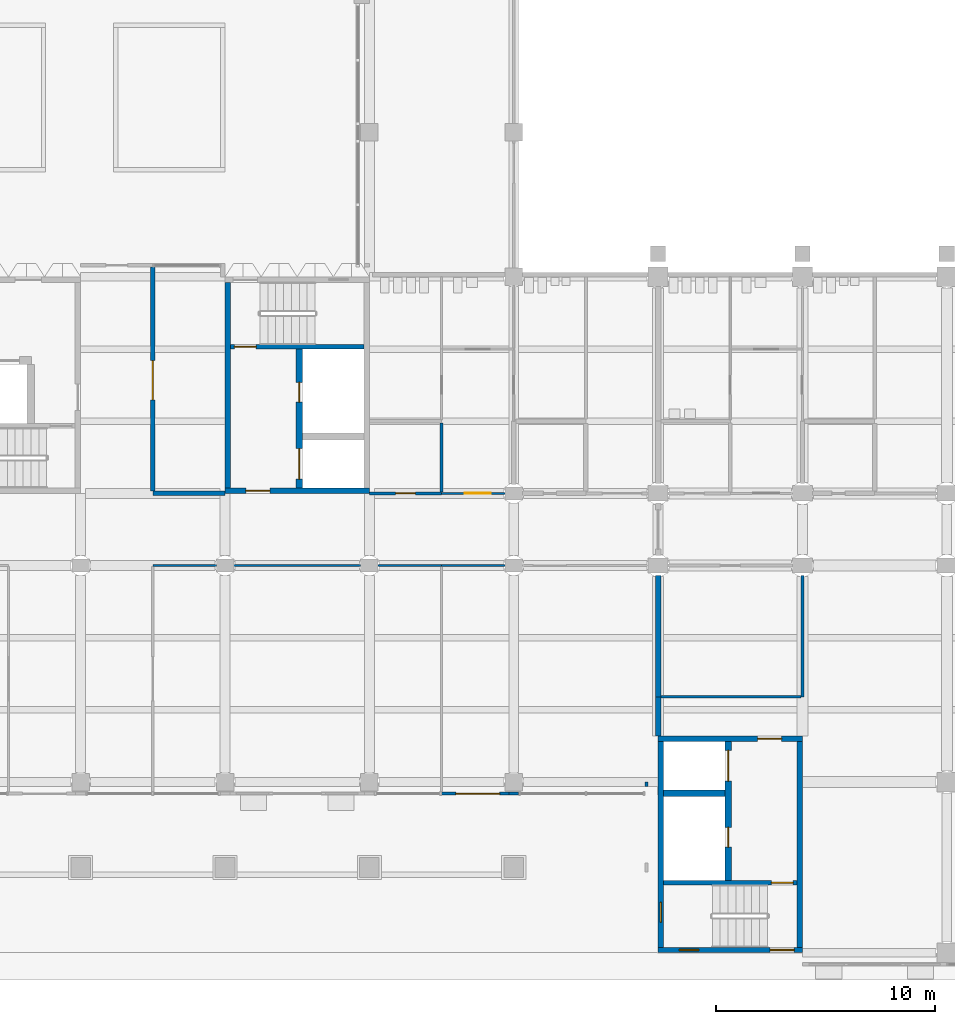
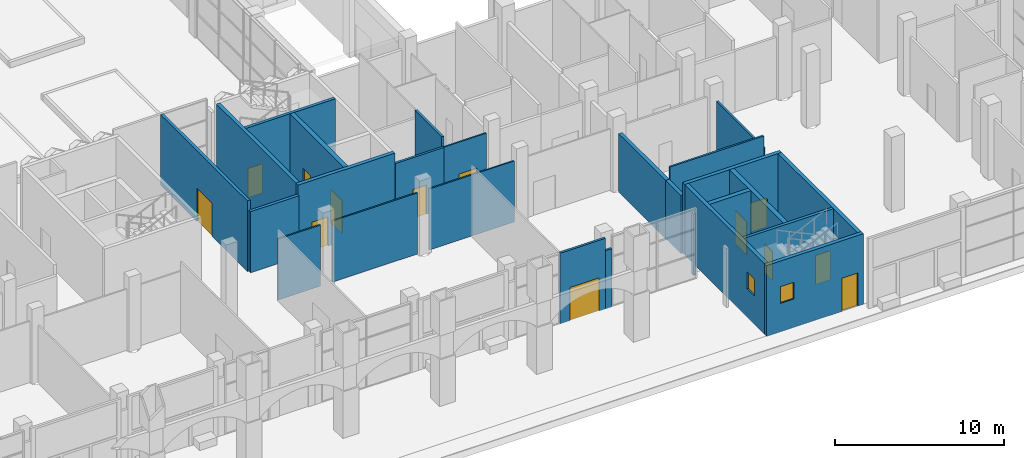
# One storey, part 28 of 85: 27 walls, 13 doors, 2 windows, 15 openings.
"""IFC4 building model written with IfcOpenShell, lengths in metres."""

from ifc_helpers import new_model, si_unit, direction, frame, frame_2d, origin, place, context, subcontext, project, spatial, rectangle, extrude, material, layer, layer_set, type_object, element, fill, save


model = new_model("IFC4")

# Units and contexts
model_context = context("Model", 3, precision=1e-05, world=origin(), true_north=direction((0.0, 1.0)))
body_context = subcontext(model_context, "Body", "Model", "MODEL_VIEW")
ifc_project = project(units=[si_unit("LENGTHUNIT", "METRE"), si_unit("AREAUNIT", "SQUARE_METRE"), si_unit("VOLUMEUNIT", "CUBIC_METRE"), si_unit("PLANEANGLEUNIT", "RADIAN"), si_unit("MASSUNIT", "GRAM", prefix="KILO")], contexts=[model_context])

# Site, building, storey
site_placement = place(None, origin())
site = spatial("IfcSite", under=ifc_project, at=site_placement, CompositionType="ELEMENT")
building_placement = place(site_placement, origin())
building = spatial("IfcBuilding", under=site, at=building_placement, Name="Lantern Court Research Institute", CompositionType="ELEMENT")
storey_placement = place(building_placement, origin())
storey = spatial("IfcBuildingStorey", under=building, at=storey_placement, Name="L00", CompositionType="ELEMENT", Elevation=0.0)

# Wall
ifc_material_1 = material(Name="Fire-rated gypsum board partition, mineral wool filled")
ifc_layer_1 = layer(ifc_material_1, 0.199951171875)
ifc_layer_set_1 = layer_set([ifc_layer_1], Name="Fire-rated gypsum board partition, mineral wool filled")
wall_type_1 = type_object("IfcWallType", Name="Compartment wall 200 EI 120", PredefinedType="PARTITIONING", material=ifc_layer_set_1)
wall_1_placement = place(storey_placement, frame((33.0, 13.199951171875, 0.0), z_axis=(0.0, 0.0, 1.0), x_axis=(-1.0, 0.0, 0.0)))
element("IfcWall", 1, at=wall_1_placement, inside=storey, type_object=wall_type_1, Name="Compartment wall 200 EI 120", PredefinedType="PARTITIONING", context=body_context, shape_type="SweptSolid", body=[
    extrude(rectangle(XDim=3.300048828125, YDim=0.199951171875, at=frame_2d((1.64990234375, 0.0))), origin(), (0.0, 0.0, 1.0), 4.39990234375),
])

# Wall, opening, door
wall_2_placement = place(storey_placement, frame((29.699951171875, 13.300048828125, 0.0), z_axis=(0.0, 0.0, 1.0), x_axis=(0.0, 1.0, 0.0)))
wall_2 = element("IfcWall", 2, at=wall_2_placement, inside=storey, type_object=wall_type_1, Name="Compartment wall 200 EI 120", PredefinedType="PARTITIONING", context=body_context, shape_type="SweptSolid", body=[
    extrude(rectangle(XDim=10.25, YDim=0.199951171875, at=frame_2d((5.125, 0.0))), origin(), (0.0, 0.0, 1.0), 5.10009765625),
])
opening_1_placement = place(wall_2_placement, frame((4.175048828125, 0.0, 0.0)))
opening_1 = element("IfcOpeningElement", 3, at=opening_1_placement, cuts=wall_2, Name="Opening D4004", PredefinedType="OPENING", context=body_context, shape_type="SweptSolid", body=[
    extrude(rectangle(XDim=1.800048828125, YDim=2.39990234375, at=frame_2d((0.89990234375, 1.199951171875))), frame((0.0, 0.10986328125, 0.0), z_axis=(0.0, -1.0, 0.0), x_axis=(1.0, 0.0, 0.0)), (0.0, 0.0, 1.0), 0.219970703125),
])
ifc_material_2 = material(Name="Solid-core timber door leaf", Category="wood")
ifc_layer_2 = layer(ifc_material_2, 0.06005859375)
ifc_layer_set_2 = layer_set([ifc_layer_2], Name="Solid-core timber door leaf")
door_type_1 = type_object("IfcDoorType", Name="Gas cylinder store door 1800 x 2400 pair FD60", OperationType="DOUBLE_DOOR_SINGLE_SWING", PredefinedType="DOOR", material=ifc_layer_set_2)
door_1_placement = place(opening_1_placement, origin())
door_1 = element("IfcDoor", 4, at=door_1_placement, inside=storey, type_object=door_type_1, Name="Door D4004", OperationType="DOUBLE_DOOR_SINGLE_SWING", OverallHeight=2.39990234375, OverallWidth=1.800048828125, PredefinedType="DOOR", context=body_context, shape_type="SweptSolid", body=[
    extrude(rectangle(XDim=1.800048828125, YDim=2.39990234375, at=frame_2d((0.89990234375, 1.199951171875))), frame((0.0, 0.030029296875, 0.0), z_axis=(0.0, -1.0, 0.0), x_axis=(1.0, 0.0, 0.0)), (0.0, 0.0, 1.0), 0.06005859375),
])
fill(opening_1, door_1)

# Walls
ifc_material_3 = material(Name="Fire-rated gypsum board partition, mineral wool filled")
ifc_layer_3 = layer(ifc_material_3, 0.125)
ifc_layer_set_3 = layer_set([ifc_layer_3], Name="Fire-rated gypsum board partition, mineral wool filled")
wall_type_2 = type_object("IfcWallType", Name="Corridor partition 125 EI 60", PredefinedType="PARTITIONING", material=ifc_layer_set_3)
wall_3_placement = place(storey_placement, frame((59.39990234375, 9.449951171875, 0.0), z_axis=(0.0, 0.0, 1.0), x_axis=(0.0, -1.0, 0.0)))
element("IfcWall", 5, at=wall_3_placement, inside=storey, type_object=wall_type_2, Name="Corridor partition 125 EI 60", PredefinedType="PARTITIONING", context=body_context, shape_type="SweptSolid", body=[
    extrude(rectangle(XDim=5.550048828125, YDim=0.125, at=frame_2d((2.77490234375, 0.0))), origin(), (0.0, 0.0, 1.0), 4.199951171875),
])
wall_4_placement = place(storey_placement, frame((59.33740234375, 3.89990234375, 0.0), z_axis=(0.0, 0.0, 1.0), x_axis=(-1.0, 0.0, 0.0)))
element("IfcWall", 6, at=wall_4_placement, inside=storey, type_object=wall_type_2, Name="Corridor partition 125 EI 60", PredefinedType="PARTITIONING", context=body_context, shape_type="SweptSolid", body=[
    extrude(rectangle(XDim=6.412353515625, YDim=0.125, at=frame_2d((3.2060546875, 0.0))), origin(), (0.0, 0.0, 1.0), 5.10009765625),
])

# Wall, opening, door
ifc_material_4 = material(Name="Aluminium alloy 6063-T6", Category="aluminium")
ifc_layer_4 = layer(ifc_material_4, 0.14990234375)
ifc_layer_set_4 = layer_set([ifc_layer_4], Name="Aluminium alloy 6063-T6")
wall_type_3 = type_object("IfcWallType", Name="Entrance screen wall 150 aluminium", PredefinedType="STANDARD", material=ifc_layer_set_4)
wall_5_placement = place(storey_placement, frame((45.97509765625, -0.52490234375, 0.0), z_axis=(0.0, 0.0, 1.0), x_axis=(-1.0, 0.0, 0.0)))
wall_5 = element("IfcWall", 7, at=wall_5_placement, inside=storey, type_object=wall_type_3, Name="Exterior wall EW035", PredefinedType="STANDARD", context=body_context, shape_type="SweptSolid", body=[
    extrude(rectangle(XDim=3.0751953125, YDim=0.14990234375, at=frame_2d((1.53759765625, 0.0))), origin(), (0.0, 0.0, 1.0), 5.10009765625),
])
opening_2_placement = place(wall_5_placement, frame((0.425048828125, 0.0, 0.0)))
opening_2 = element("IfcOpeningElement", 8, at=opening_2_placement, cuts=wall_5, Name="Opening D4088", PredefinedType="OPENING", context=body_context, shape_type="SweptSolid", body=[
    extrude(rectangle(XDim=2.0, YDim=2.39990234375, at=frame_2d((1.0, 1.199951171875))), frame((0.0, 0.0849609375, 0.0), z_axis=(0.0, -1.0, 0.0), x_axis=(1.0, 0.0, 0.0)), (0.0, 0.0, 1.0), 0.169921875),
])
ifc_material_5 = material(Name="Aluminium frame with laminated glass", Category="aluminium")
door_type_2 = type_object("IfcDoorType", Name="Entrance door pair 2000 x 2400 aluminium glazed", OperationType="NOTDEFINED", PredefinedType="DOOR", material=ifc_material_5)
door_2_placement = place(opening_2_placement, origin())
door_2 = element("IfcDoor", 9, at=door_2_placement, inside=storey, type_object=door_type_2, Name="Exterior door D4088", OperationType="DOUBLE_DOOR_SINGLE_SWING", OverallHeight=2.39990234375, OverallWidth=2.0, PredefinedType="DOOR", context=body_context, shape_type="SweptSolid", body=[
    extrude(rectangle(XDim=2.0, YDim=2.39990234375, at=frame_2d((1.0, 1.199951171875))), frame((0.0, 0.02490234375, 0.0), z_axis=(0.0, -1.0, 0.0), x_axis=(1.0, 0.0, 0.0)), (0.0, 0.0, 1.0), 0.050048828125),
])
fill(opening_2, door_2)

# Walls
wall_6_placement = place(storey_placement, frame((46.425048828125, -0.52490234375, 0.0), z_axis=(0.0, 0.0, 1.0), x_axis=(-1.0, 0.0, 0.0)))
element("IfcWall", 10, at=wall_6_placement, inside=storey, type_object=wall_type_3, Name="Exterior wall EW043", PredefinedType="STANDARD", context=body_context, shape_type="SweptSolid", body=[
    extrude(rectangle(XDim=0.449951171875, YDim=0.14990234375, at=frame_2d((0.22509765625, 0.0))), origin(), (0.0, 0.0, 1.0), 4.199951171875),
])
wall_7_placement = place(storey_placement, frame((52.27490234375, -0.199951171875, 0.0), z_axis=(0.0, 0.0, 1.0), x_axis=(0.0, 1.0, 0.0)))
element("IfcWall", 11, at=wall_7_placement, inside=storey, type_object=wall_type_3, Name="Exterior wall EW048", PredefinedType="STANDARD", context=body_context, shape_type="SweptSolid", body=[
    extrude(rectangle(XDim=0.199951171875, YDim=0.14990234375, at=frame_2d((0.10009765625, 0.0))), origin(), (0.0, 0.0, 1.0), 4.39990234375),
])

# Wall, opening, door
ifc_material_6 = material(Name="Fire-rated gypsum board partition, mineral wool filled")
ifc_layer_5 = layer(ifc_material_6, 0.14990234375)
ifc_layer_set_5 = layer_set([ifc_layer_5], Name="Fire-rated gypsum board partition, mineral wool filled")
wall_type_4 = type_object("IfcWallType", Name="Laboratory partition 150 EI 60", PredefinedType="PARTITIONING", material=ifc_layer_set_5)
wall_8_placement = place(storey_placement, frame((42.89990234375, 13.199951171875, 0.0), z_axis=(0.0, 0.0, 1.0), x_axis=(-1.0, 0.0, 0.0)))
wall_8 = element("IfcWall", 12, at=wall_8_placement, inside=storey, type_object=wall_type_4, Name="Laboratory partition 150 EI 60", PredefinedType="PARTITIONING", context=body_context, shape_type="SweptSolid", body=[
    extrude(rectangle(XDim=3.2998046875, YDim=0.14990234375, at=frame_2d((1.64990234375, 0.0))), origin(), (0.0, 0.0, 1.0), 4.39990234375),
])
opening_3_placement = place(wall_8_placement, frame((1.199951171875, 0.0, 0.0)))
opening_3 = element("IfcOpeningElement", 13, at=opening_3_placement, cuts=wall_8, Name="Opening D4005", PredefinedType="OPENING", context=body_context, shape_type="SweptSolid", body=[
    extrude(rectangle(XDim=0.89990234375, YDim=2.10009765625, at=frame_2d((0.449951171875, 1.050048828125))), frame((0.0, 0.0849609375, 0.0), z_axis=(0.0, -1.0, 0.0), x_axis=(1.0, 0.0, 0.0)), (0.0, 0.0, 1.0), 0.169921875),
])
ifc_material_7 = material(Name="Solid-core timber door leaf", Category="wood")
ifc_layer_6 = layer(ifc_material_7, 0.053955078125)
ifc_layer_set_6 = layer_set([ifc_layer_6], Name="Solid-core timber door leaf")
door_type_3 = type_object("IfcDoorType", Name="Cleaners store door 900 x 2100 single FD30S", OperationType="NOTDEFINED", PredefinedType="DOOR", material=ifc_layer_set_6)
door_3_placement = place(opening_3_placement, origin())
door_3 = element("IfcDoor", 14, at=door_3_placement, inside=storey, type_object=door_type_3, Name="Door D4005", OperationType="SINGLE_SWING_LEFT", OverallHeight=2.10009765625, OverallWidth=0.89990234375, PredefinedType="DOOR", context=body_context, shape_type="SweptSolid", body=[
    extrude(rectangle(XDim=0.89990234375, YDim=2.10009765625, at=frame_2d((0.449951171875, 1.050048828125))), frame((0.0, 0.02685546875, 0.0), z_axis=(0.0, -1.0, 0.0), x_axis=(1.0, 0.0, 0.0)), (0.0, 0.0, 1.0), 0.053955078125),
])
fill(opening_3, door_3)

# Wall
wall_9_placement = place(storey_placement, frame((42.89990234375, 13.27490234375, 0.0), z_axis=(0.0, 0.0, 1.0), x_axis=(0.0, 1.0, 0.0)))
element("IfcWall", 15, at=wall_9_placement, inside=storey, type_object=wall_type_4, Name="Laboratory partition 150 EI 60", PredefinedType="PARTITIONING", context=body_context, shape_type="SweptSolid", body=[
    extrude(rectangle(XDim=3.150146484375, YDim=0.14990234375, at=frame_2d((1.5751953125, 0.0))), origin(), (0.0, 0.0, 1.0), 5.10009765625),
])

# Wall, opening, door
ifc_material_8 = material(Name="Gypsum board partition, mineral wool filled")
ifc_layer_7 = layer(ifc_material_8, 0.10009765625)
ifc_layer_set_7 = layer_set([ifc_layer_7], Name="Gypsum board partition, mineral wool filled")
wall_type_5 = type_object("IfcWallType", Name="Partition 100", PredefinedType="PARTITIONING", material=ifc_layer_set_7)
wall_10_placement = place(storey_placement, frame((42.89990234375, 13.199951171875, 0.0), z_axis=(0.0, 0.0, 1.0), x_axis=(1.0, 0.0, 0.0)))
wall_10 = element("IfcWall", 16, at=wall_10_placement, inside=storey, type_object=wall_type_5, Name="Partition 100", PredefinedType="PARTITIONING", context=body_context, shape_type="SweptSolid", body=[
    extrude(rectangle(XDim=2.900146484375, YDim=0.10009765625, at=frame_2d((1.4501953125, 0.0))), origin(), (0.0, 0.0, 1.0), 4.39990234375),
])
opening_4_placement = place(wall_10_placement, frame((1.050048828125, 0.0, 0.0)))
opening_4 = element("IfcOpeningElement", 17, at=opening_4_placement, cuts=wall_10, Name="Opening D4007", PredefinedType="OPENING", context=body_context, shape_type="SweptSolid", body=[
    extrude(rectangle(XDim=1.199951171875, YDim=2.10009765625, at=frame_2d((0.60009765625, 1.050048828125))), frame((0.0, 0.06005859375, 0.0), z_axis=(0.0, -1.0, 0.0), x_axis=(1.0, 0.0, 0.0)), (0.0, 0.0, 1.0), 0.1201171875),
])
ifc_material_9 = material(Name="Solid-core timber door leaf", Category="wood")
ifc_layer_8 = layer(ifc_material_9, 0.0439453125)
ifc_layer_set_8 = layer_set([ifc_layer_8], Name="Solid-core timber door leaf")
door_type_4 = type_object("IfcDoorType", Name="WC vestibule door 1200 x 2100 single NOT RATED", OperationType="NOTDEFINED", PredefinedType="DOOR", material=ifc_layer_set_8)
door_4_placement = place(opening_4_placement, origin())
door_4 = element("IfcDoor", 18, at=door_4_placement, inside=storey, type_object=door_type_4, Name="Door D4007", OperationType="SINGLE_SWING_RIGHT", OverallHeight=2.10009765625, OverallWidth=1.199951171875, PredefinedType="DOOR", context=body_context, shape_type="SweptSolid", body=[
    extrude(rectangle(XDim=1.199951171875, YDim=2.10009765625, at=frame_2d((0.60009765625, 1.050048828125))), frame((0.0, 0.02197265625, 0.0), z_axis=(0.0, -1.0, 0.0), x_axis=(1.0, 0.0, 0.0)), (0.0, 0.0, 1.0), 0.0439453125),
])
fill(opening_4, door_4)

# Walls
wall_11_placement = place(storey_placement, frame((29.699951171875, 9.89990234375, 0.0), z_axis=(0.0, 0.0, 1.0), x_axis=(1.0, 0.0, 0.0)))
element("IfcWall", 19, at=wall_11_placement, inside=storey, type_object=wall_type_5, Name="Partition 100", PredefinedType="PARTITIONING", context=body_context, shape_type="SweptSolid", body=[
    extrude(rectangle(XDim=2.900146484375, YDim=0.10009765625, at=frame_2d((1.4501953125, 0.0))), origin(), (0.0, 0.0, 1.0), 4.39990234375),
])
wall_12_placement = place(storey_placement, frame((33.39990234375, 9.89990234375, 0.0), z_axis=(0.0, 0.0, 1.0), x_axis=(1.0, 0.0, 0.0)))
element("IfcWall", 20, at=wall_12_placement, inside=storey, type_object=wall_type_5, Name="Partition 100", PredefinedType="PARTITIONING", context=body_context, shape_type="SweptSolid", body=[
    extrude(rectangle(XDim=5.800048828125, YDim=0.10009765625, at=frame_2d((2.89990234375, 0.0))), origin(), (0.0, 0.0, 1.0), 4.39990234375),
])
wall_13_placement = place(storey_placement, frame((40.0, 9.89990234375, 0.0), z_axis=(0.0, 0.0, 1.0), x_axis=(1.0, 0.0, 0.0)))
element("IfcWall", 21, at=wall_13_placement, inside=storey, type_object=wall_type_5, Name="Partition 100", PredefinedType="PARTITIONING", context=body_context, shape_type="SweptSolid", body=[
    extrude(rectangle(XDim=2.89990234375, YDim=0.10009765625, at=frame_2d((1.449951171875, 0.0))), origin(), (0.0, 0.0, 1.0), 4.39990234375),
])
wall_14_placement = place(storey_placement, frame((42.89990234375, 9.89990234375, 0.0), z_axis=(0.0, 0.0, 1.0), x_axis=(1.0, 0.0, 0.0)))
element("IfcWall", 22, at=wall_14_placement, inside=storey, type_object=wall_type_5, Name="Partition 100", PredefinedType="PARTITIONING", context=body_context, shape_type="SweptSolid", body=[
    extrude(rectangle(XDim=2.900146484375, YDim=0.10009765625, at=frame_2d((1.4501953125, 0.0))), origin(), (0.0, 0.0, 1.0), 4.39990234375),
])
ifc_material_10 = material(Name="Fire-rated gypsum board partition, double stud, mineral wool filled")
ifc_layer_9 = layer(ifc_material_10, 0.25)
ifc_layer_set_9 = layer_set([ifc_layer_9], Name="Fire-rated gypsum board partition, double stud, mineral wool filled")
wall_type_6 = type_object("IfcWallType", Name="Plant compartment wall 250 EI 120", PredefinedType="PARTITIONING", material=ifc_layer_set_9)
wall_15_placement = place(storey_placement, frame((52.800048828125, 2.10009765625, 0.0), z_axis=(0.0, 0.0, 1.0), x_axis=(0.0, 1.0, 0.0)))
element("IfcWall", 23, at=wall_15_placement, inside=storey, type_object=wall_type_6, Name="Plant compartment wall 250 EI 120", PredefinedType="PARTITIONING", context=body_context, shape_type="SweptSolid", body=[
    extrude(rectangle(XDim=1.7998046875, YDim=0.25, at=frame_2d((0.89990234375, 0.0))), origin(), (0.0, 0.0, 1.0), 4.199951171875),
])
wall_16_placement = place(storey_placement, frame((52.800048828125, 3.89990234375, 0.0), z_axis=(0.0, 0.0, 1.0), x_axis=(0.0, 1.0, 0.0)))
element("IfcWall", 24, at=wall_16_placement, inside=storey, type_object=wall_type_6, Name="Plant compartment wall 250 EI 120", PredefinedType="PARTITIONING", context=body_context, shape_type="SweptSolid", body=[
    extrude(rectangle(XDim=5.550048828125, YDim=0.25, at=frame_2d((2.77490234375, 0.0))), origin(), (0.0, 0.0, 1.0), 4.199951171875),
])

# Wall, opening, door
ifc_material_11 = material(Name="Concrete C40/50", Category="concrete")
ifc_layer_10 = layer(ifc_material_11, 0.25)
ifc_layer_set_10 = layer_set([ifc_layer_10], Name="Concrete C40/50")
wall_type_7 = type_object("IfcWallType", Name="RC core wall 250", PredefinedType="SHEAR", material=ifc_layer_set_10)
wall_17_placement = place(storey_placement, frame((33.0, 13.324951171875, 0.0), z_axis=(0.0, 0.0, 1.0), x_axis=(1.0, 0.0, 0.0)))
wall_17 = element("IfcWall", 25, at=wall_17_placement, inside=storey, type_object=wall_type_7, Name="South wall of core BC-E", PredefinedType="SHEAR", context=body_context, shape_type="SweptSolid", body=[
    extrude(rectangle(XDim=6.60009765625, YDim=0.25, at=frame_2d((3.300048828125, 0.0))), origin(), (0.0, 0.0, 1.0), 5.10009765625),
])
opening_5_placement = place(wall_17_placement, frame((0.949951171875, 0.0, 0.0)))
opening_5 = element("IfcOpeningElement", 26, at=opening_5_placement, cuts=wall_17, Name="Opening D7071", PredefinedType="OPENING", context=body_context, shape_type="SweptSolid", body=[
    extrude(rectangle(XDim=1.10009765625, YDim=2.10009765625, at=frame_2d((0.550048828125, 1.050048828125))), frame((0.0, 0.135009765625, 0.0), z_axis=(0.0, -1.0, 0.0), x_axis=(1.0, 0.0, 0.0)), (0.0, 0.0, 1.0), 0.27001953125),
])
ifc_material_12 = material(Name="Steel fire door leaf with smoke seals", Category="steel")
door_type_5 = type_object("IfcDoorType", Name="Door 1100 x 2100 fire rated FD60S", OperationType="NOTDEFINED", PredefinedType="DOOR", material=ifc_material_12)
door_5_placement = place(opening_5_placement, origin())
door_5 = element("IfcDoor", 27, at=door_5_placement, inside=storey, type_object=door_type_5, Name="Lobby door", OperationType="SINGLE_SWING_RIGHT", OverallHeight=2.10009765625, OverallWidth=1.10009765625, PredefinedType="DOOR", context=body_context, shape_type="SweptSolid", body=[
    extrude(rectangle(XDim=1.10009765625, YDim=2.10009765625, at=frame_2d((0.550048828125, 1.050048828125))), frame((0.0, 0.02490234375, 0.0), z_axis=(0.0, -1.0, 0.0), x_axis=(1.0, 0.0, 0.0)), (0.0, 0.0, 1.0), 0.050048828125),
])
fill(opening_5, door_5)

# Wall
wall_18_placement = place(storey_placement, frame((33.125, 13.449951171875, 0.0), z_axis=(0.0, 0.0, 1.0), x_axis=(0.0, 1.0, 0.0)))
element("IfcWall", 28, at=wall_18_placement, inside=storey, type_object=wall_type_7, Name="West wall of core BC-E", PredefinedType="SHEAR", context=body_context, shape_type="SweptSolid", body=[
    extrude(rectangle(XDim=9.400146484375, YDim=0.25, at=frame_2d((4.7001953125, 0.0))), origin(), (0.0, 0.0, 1.0), 5.10009765625),
])

# Wall, opening, door
wall_19_placement = place(storey_placement, frame((59.39990234375, 1.97509765625, 0.0), z_axis=(0.0, 0.0, 1.0), x_axis=(-1.0, 0.0, 0.0)))
wall_19 = element("IfcWall", 29, at=wall_19_placement, inside=storey, type_object=wall_type_7, Name="North wall of core TC-W", PredefinedType="SHEAR", context=body_context, shape_type="SweptSolid", body=[
    extrude(rectangle(XDim=6.599853515625, YDim=0.25, at=frame_2d((3.2998046875, 0.0))), origin(), (0.0, 0.0, 1.0), 5.10009765625),
])
opening_6_placement = place(wall_19_placement, frame((0.949951171875, 0.0, 0.0)))
opening_6 = element("IfcOpeningElement", 30, at=opening_6_placement, cuts=wall_19, Name="Opening D7100", PredefinedType="OPENING", context=body_context, shape_type="SweptSolid", body=[
    extrude(rectangle(XDim=1.10009765625, YDim=2.10009765625, at=frame_2d((0.550048828125, 1.050048828125))), frame((0.0, 0.135009765625, 0.0), z_axis=(0.0, -1.0, 0.0), x_axis=(1.0, 0.0, 0.0)), (0.0, 0.0, 1.0), 0.27001953125),
])
door_6_placement = place(opening_6_placement, origin())
door_6 = element("IfcDoor", 31, at=door_6_placement, inside=storey, type_object=door_type_5, Name="Lobby door", OperationType="SINGLE_SWING_RIGHT", OverallHeight=2.10009765625, OverallWidth=1.10009765625, PredefinedType="DOOR", context=body_context, shape_type="SweptSolid", body=[
    extrude(rectangle(XDim=1.10009765625, YDim=2.10009765625, at=frame_2d((0.550048828125, 1.050048828125))), frame((0.0, 0.02490234375, 0.0), z_axis=(0.0, -1.0, 0.0), x_axis=(1.0, 0.0, 0.0)), (0.0, 0.0, 1.0), 0.050048828125),
])
fill(opening_6, door_6)

# Wall
wall_20_placement = place(storey_placement, frame((59.27490234375, 1.85009765625, 0.0), z_axis=(0.0, 0.0, 1.0), x_axis=(0.0, -1.0, 0.0)))
element("IfcWall", 32, at=wall_20_placement, inside=storey, type_object=wall_type_7, Name="East wall of core TC-W", PredefinedType="SHEAR", context=body_context, shape_type="SweptSolid", body=[
    extrude(rectangle(XDim=9.400146484375, YDim=0.25, at=frame_2d((4.7001953125, 0.0))), origin(), (0.0, 0.0, 1.0), 5.10009765625),
])

# Wall, openings, door, window
ifc_material_13 = material(Name="Concrete C40/50", Category="concrete")
ifc_layer_11 = layer(ifc_material_13, 0.25)
ifc_layer_set_11 = layer_set([ifc_layer_11], Name="Concrete C40/50")
wall_type_8 = type_object("IfcWallType", Name="RC core wall 250 facade", PredefinedType="SHEAR", material=ifc_layer_set_11)
wall_21_placement = place(storey_placement, frame((59.39990234375, -7.675048828125, 0.0), z_axis=(0.0, 0.0, 1.0), x_axis=(-1.0, 0.0, 0.0)))
wall_21 = element("IfcWall", 33, at=wall_21_placement, inside=storey, type_object=wall_type_8, Name="South wall of core TC-W", PredefinedType="SHEAR", context=body_context, shape_type="SweptSolid", body=[
    extrude(rectangle(XDim=6.599853515625, YDim=0.25, at=frame_2d((3.2998046875, 0.0))), origin(), (0.0, 0.0, 1.0), 5.10009765625),
])
opening_7_placement = place(wall_21_placement, frame((0.375, 0.0, 0.0)))
opening_7 = element("IfcOpeningElement", 34, at=opening_7_placement, cuts=wall_21, Name="Opening D7102", PredefinedType="OPENING", context=body_context, shape_type="SweptSolid", body=[
    extrude(rectangle(XDim=1.10009765625, YDim=2.39990234375, at=frame_2d((0.550048828125, 1.199951171875))), frame((0.0, 0.135009765625, 0.0), z_axis=(0.0, -1.0, 0.0), x_axis=(1.0, 0.0, 0.0)), (0.0, 0.0, 1.0), 0.27001953125),
])
opening_8_placement = place(wall_21_placement, frame((4.735107421875, 0.0, 2.050048828125)))
opening_8 = element("IfcOpeningElement", 35, at=opening_8_placement, cuts=wall_21, Name="Opening W6", PredefinedType="OPENING", context=body_context, shape_type="SweptSolid", body=[
    extrude(rectangle(XDim=0.89990234375, YDim=1.199951171875, at=frame_2d((0.449951171875, 0.60009765625))), frame((0.0, 0.135009765625, 0.0), z_axis=(0.0, -1.0, 0.0), x_axis=(1.0, 0.0, 0.0)), (0.0, 0.0, 1.0), 0.27001953125),
])
ifc_material_14 = material(Name="Steel fire door leaf with smoke seals", Category="steel")
door_type_6 = type_object("IfcDoorType", Name="Door 1100 x 2400 fire rated FD60S", OperationType="NOTDEFINED", PredefinedType="DOOR", material=ifc_material_14)
door_7_placement = place(opening_7_placement, origin())
door_7 = element("IfcDoor", 36, at=door_7_placement, inside=storey, type_object=door_type_6, Name="Stair exit door", OperationType="SINGLE_SWING_RIGHT", OverallHeight=2.39990234375, OverallWidth=1.10009765625, PredefinedType="DOOR", context=body_context, shape_type="SweptSolid", body=[
    extrude(rectangle(XDim=1.10009765625, YDim=2.39990234375, at=frame_2d((0.550048828125, 1.199951171875))), frame((0.0, 0.02490234375, 0.0), z_axis=(0.0, -1.0, 0.0), x_axis=(1.0, 0.0, 0.0)), (0.0, 0.0, 1.0), 0.050048828125),
])
fill(opening_7, door_7)
ifc_material_15 = material(Name="Aluminium alloy 6063-T6 frame with laminated glass", Category="aluminium")
window_type = type_object("IfcWindowType", Name="Stair window 900 x 1200", PartitioningType="SINGLE_PANEL", PredefinedType="WINDOW", material=ifc_material_15)
window_1_placement = place(opening_8_placement, origin())
window_1 = element("IfcWindow", 37, at=window_1_placement, inside=storey, type_object=window_type, Name="Stair window", OverallHeight=1.199951171875, OverallWidth=0.89990234375, PartitioningType="SINGLE_PANEL", PredefinedType="WINDOW", context=body_context, shape_type="SweptSolid", body=[
    extrude(rectangle(XDim=0.89990234375, YDim=1.199951171875, at=frame_2d((0.449951171875, 0.60009765625))), frame((0.0, 0.030029296875, 0.0), z_axis=(0.0, -1.0, 0.0), x_axis=(1.0, 0.0, 0.0)), (0.0, 0.0, 1.0), 0.06005859375),
])
fill(opening_8, window_1)

# Wall, opening, window
wall_22_placement = place(storey_placement, frame((52.925048828125, 1.85009765625, 0.0), z_axis=(0.0, 0.0, 1.0), x_axis=(0.0, -1.0, 0.0)))
wall_22 = element("IfcWall", 38, at=wall_22_placement, inside=storey, type_object=wall_type_8, Name="West wall of core TC-W", PredefinedType="SHEAR", context=body_context, shape_type="SweptSolid", body=[
    extrude(rectangle(XDim=9.400146484375, YDim=0.25, at=frame_2d((4.7001953125, 0.0))), origin(), (0.0, 0.0, 1.0), 5.10009765625),
])
opening_9_placement = place(wall_22_placement, frame((7.35009765625, 0.0, 2.050048828125)))
opening_9 = element("IfcOpeningElement", 39, at=opening_9_placement, cuts=wall_22, Name="Opening W6", PredefinedType="OPENING", context=body_context, shape_type="SweptSolid", body=[
    extrude(rectangle(XDim=0.89990234375, YDim=1.199951171875, at=frame_2d((0.449951171875, 0.60009765625))), frame((0.0, 0.135009765625, 0.0), z_axis=(0.0, -1.0, 0.0), x_axis=(1.0, 0.0, 0.0)), (0.0, 0.0, 1.0), 0.27001953125),
])
window_2_placement = place(opening_9_placement, origin())
window_2 = element("IfcWindow", 40, at=window_2_placement, inside=storey, type_object=window_type, Name="Stair window", OverallHeight=1.199951171875, OverallWidth=0.89990234375, PartitioningType="SINGLE_PANEL", PredefinedType="WINDOW", context=body_context, shape_type="SweptSolid", body=[
    extrude(rectangle(XDim=0.89990234375, YDim=1.199951171875, at=frame_2d((0.449951171875, 0.60009765625))), frame((0.0, 0.030029296875, 0.0), z_axis=(0.0, -1.0, 0.0), x_axis=(1.0, 0.0, 0.0)), (0.0, 0.0, 1.0), 0.06005859375),
])
fill(opening_9, window_2)

# Wall, opening, door
ifc_material_16 = material(Name="Concrete C40/50", Category="concrete")
ifc_layer_12 = layer(ifc_material_16, 0.199951171875)
ifc_layer_set_12 = layer_set([ifc_layer_12], Name="Concrete C40/50")
wall_type_9 = type_object("IfcWallType", Name="RC shaft wall 200", PredefinedType="SHEAR", material=ifc_layer_set_12)
wall_23_placement = place(storey_placement, frame((33.25, 19.89990234375, 0.0), z_axis=(0.0, 0.0, 1.0), x_axis=(1.0, 0.0, 0.0)))
wall_23 = element("IfcWall", 41, at=wall_23_placement, inside=storey, type_object=wall_type_9, Name="Stair wall of core BC-E", PredefinedType="SHEAR", context=body_context, shape_type="SweptSolid", body=[
    extrude(rectangle(XDim=6.10009765625, YDim=0.199951171875, at=frame_2d((3.050048828125, 0.0))), origin(), (0.0, 0.0, 1.0), 5.10009765625),
])
opening_10_placement = place(wall_23_placement, frame((0.175048828125, 0.0, 0.0)))
opening_10 = element("IfcOpeningElement", 42, at=opening_10_placement, cuts=wall_23, Name="Opening D7072", PredefinedType="OPENING", context=body_context, shape_type="SweptSolid", body=[
    extrude(rectangle(XDim=1.0, YDim=2.10009765625, at=frame_2d((0.5, 1.050048828125))), frame((0.0, 0.10986328125, 0.0), z_axis=(0.0, -1.0, 0.0), x_axis=(1.0, 0.0, 0.0)), (0.0, 0.0, 1.0), 0.219970703125),
])
ifc_material_17 = material(Name="Steel fire door leaf with smoke seals", Category="steel")
door_type_7 = type_object("IfcDoorType", Name="Door 1000 x 2100 fire rated FD60S", OperationType="NOTDEFINED", PredefinedType="DOOR", material=ifc_material_17)
door_8_placement = place(opening_10_placement, origin())
door_8 = element("IfcDoor", 43, at=door_8_placement, inside=storey, type_object=door_type_7, Name="Stair door", OperationType="SINGLE_SWING_RIGHT", OverallHeight=2.10009765625, OverallWidth=1.0, PredefinedType="DOOR", context=body_context, shape_type="SweptSolid", body=[
    extrude(rectangle(XDim=1.0, YDim=2.10009765625, at=frame_2d((0.5, 1.050048828125))), frame((0.0, 0.02490234375, 0.0), z_axis=(0.0, -1.0, 0.0), x_axis=(1.0, 0.0, 0.0)), (0.0, 0.0, 1.0), 0.050048828125),
])
fill(opening_10, door_8)

wall_24_placement = place(storey_placement, frame((59.14990234375, -4.60009765625, 0.0), z_axis=(0.0, 0.0, 1.0), x_axis=(-1.0, 0.0, 0.0)))
wall_24 = element("IfcWall", 44, at=wall_24_placement, inside=storey, type_object=wall_type_9, Name="Stair wall of core TC-W", PredefinedType="SHEAR", context=body_context, shape_type="SweptSolid", body=[
    extrude(rectangle(XDim=6.099853515625, YDim=0.199951171875, at=frame_2d((3.0498046875, 0.0))), origin(), (0.0, 0.0, 1.0), 5.10009765625),
])
opening_11_placement = place(wall_24_placement, frame((0.175048828125, 0.0, 0.0)))
opening_11 = element("IfcOpeningElement", 45, at=opening_11_placement, cuts=wall_24, Name="Opening D7101", PredefinedType="OPENING", context=body_context, shape_type="SweptSolid", body=[
    extrude(rectangle(XDim=1.0, YDim=2.10009765625, at=frame_2d((0.5, 1.050048828125))), frame((0.0, 0.10986328125, 0.0), z_axis=(0.0, -1.0, 0.0), x_axis=(1.0, 0.0, 0.0)), (0.0, 0.0, 1.0), 0.219970703125),
])
door_9_placement = place(opening_11_placement, origin())
door_9 = element("IfcDoor", 46, at=door_9_placement, inside=storey, type_object=door_type_7, Name="Stair door", OperationType="SINGLE_SWING_RIGHT", OverallHeight=2.10009765625, OverallWidth=1.0, PredefinedType="DOOR", context=body_context, shape_type="SweptSolid", body=[
    extrude(rectangle(XDim=1.0, YDim=2.10009765625, at=frame_2d((0.5, 1.050048828125))), frame((0.0, 0.02490234375, 0.0), z_axis=(0.0, -1.0, 0.0), x_axis=(1.0, 0.0, 0.0)), (0.0, 0.0, 1.0), 0.050048828125),
])
fill(opening_11, door_9)

# Wall, openings, doors
ifc_material_18 = material(Name="Concrete C40/50", Category="concrete")
ifc_layer_13 = layer(ifc_material_18, 0.300048828125)
ifc_layer_set_13 = layer_set([ifc_layer_13], Name="Concrete C40/50")
wall_type_10 = type_object("IfcWallType", Name="RC shaft wall 300", PredefinedType="SHEAR", material=ifc_layer_set_13)
wall_25_placement = place(storey_placement, frame((36.39990234375, 13.449951171875, 0.0), z_axis=(0.0, 0.0, 1.0), x_axis=(0.0, 1.0, 0.0)))
wall_25 = element("IfcWall", 47, at=wall_25_placement, inside=storey, type_object=wall_type_10, Name="Lift shaft wall of core BC-E", PredefinedType="SHEAR", context=body_context, shape_type="SweptSolid", body=[
    extrude(rectangle(XDim=6.35009765625, YDim=0.300048828125, at=frame_2d((3.175048828125, 0.0))), origin(), (0.0, 0.0, 1.0), 5.10009765625),
])
opening_12_placement = place(wall_25_placement, frame((3.925048828125, 0.0, 0.0)))
opening_12 = element("IfcOpeningElement", 48, at=opening_12_placement, cuts=wall_25, Name="Opening D7070", PredefinedType="OPENING", context=body_context, shape_type="SweptSolid", body=[
    extrude(rectangle(XDim=0.89990234375, YDim=2.10009765625, at=frame_2d((0.449951171875, 1.050048828125))), frame((0.0, 0.159912109375, 0.0), z_axis=(0.0, -1.0, 0.0), x_axis=(1.0, 0.0, 0.0)), (0.0, 0.0, 1.0), 0.320068359375),
])
opening_13_placement = place(wall_25_placement, frame((0.39990234375, 0.0, 0.0)))
opening_13 = element("IfcOpeningElement", 49, at=opening_13_placement, cuts=wall_25, Name="Opening D7074", PredefinedType="OPENING", context=body_context, shape_type="SweptSolid", body=[
    extrude(rectangle(XDim=1.39990234375, YDim=2.39990234375, at=frame_2d((0.699951171875, 1.199951171875))), frame((0.0, 0.159912109375, 0.0), z_axis=(0.0, -1.0, 0.0), x_axis=(1.0, 0.0, 0.0)), (0.0, 0.0, 1.0), 0.320068359375),
])
ifc_material_19 = material(Name="Steel fire door leaf", Category="steel")
door_type_8 = type_object("IfcDoorType", Name="Door 900 x 2100 fire rated FD60", OperationType="NOTDEFINED", PredefinedType="DOOR", material=ifc_material_19)
door_10_placement = place(opening_12_placement, origin())
door_10 = element("IfcDoor", 50, at=door_10_placement, inside=storey, type_object=door_type_8, Name="Riser door", OperationType="SINGLE_SWING_RIGHT", OverallHeight=2.10009765625, OverallWidth=0.89990234375, PredefinedType="DOOR", context=body_context, shape_type="SweptSolid", body=[
    extrude(rectangle(XDim=0.89990234375, YDim=2.10009765625, at=frame_2d((0.449951171875, 1.050048828125))), frame((0.0, 0.02490234375, 0.0), z_axis=(0.0, -1.0, 0.0), x_axis=(1.0, 0.0, 0.0)), (0.0, 0.0, 1.0), 0.050048828125),
])
fill(opening_12, door_10)
ifc_material_20 = material(Name="Stainless steel landing door panels", Category="steel")
door_type_9 = type_object("IfcDoorType", Name="Lift landing door 1400 x 2400 sliding FD60", OperationType="DOUBLE_DOOR_SLIDING", PredefinedType="NOTDEFINED", material=ifc_material_20)
door_11_placement = place(opening_13_placement, origin())
door_11 = element("IfcDoor", 51, at=door_11_placement, inside=storey, type_object=door_type_9, Name="Landing door", OperationType="DOUBLE_DOOR_SLIDING", OverallHeight=2.39990234375, OverallWidth=1.39990234375, PredefinedType="NOTDEFINED", context=body_context, shape_type="SweptSolid", body=[
    extrude(rectangle(XDim=1.39990234375, YDim=2.39990234375, at=frame_2d((0.699951171875, 1.199951171875))), frame((0.0, 0.02490234375, 0.0), z_axis=(0.0, -1.0, 0.0), x_axis=(1.0, 0.0, 0.0)), (0.0, 0.0, 1.0), 0.050048828125),
])
fill(opening_13, door_11)

wall_26_placement = place(storey_placement, frame((56.0, 1.85009765625, 0.0), z_axis=(0.0, 0.0, 1.0), x_axis=(0.0, -1.0, 0.0)))
wall_26 = element("IfcWall", 52, at=wall_26_placement, inside=storey, type_object=wall_type_10, Name="Lift shaft wall of core TC-W", PredefinedType="SHEAR", context=body_context, shape_type="SweptSolid", body=[
    extrude(rectangle(XDim=6.35009765625, YDim=0.300048828125, at=frame_2d((3.175048828125, 0.0))), origin(), (0.0, 0.0, 1.0), 5.10009765625),
])
opening_14_placement = place(wall_26_placement, frame((3.925048828125, 0.0, 0.0)))
opening_14 = element("IfcOpeningElement", 53, at=opening_14_placement, cuts=wall_26, Name="Opening D7099", PredefinedType="OPENING", context=body_context, shape_type="SweptSolid", body=[
    extrude(rectangle(XDim=0.89990234375, YDim=2.10009765625, at=frame_2d((0.449951171875, 1.050048828125))), frame((0.0, 0.159912109375, 0.0), z_axis=(0.0, -1.0, 0.0), x_axis=(1.0, 0.0, 0.0)), (0.0, 0.0, 1.0), 0.320068359375),
])
opening_15_placement = place(wall_26_placement, frame((0.39990234375, 0.0, 0.0)))
opening_15 = element("IfcOpeningElement", 54, at=opening_15_placement, cuts=wall_26, Name="Opening D7103", PredefinedType="OPENING", context=body_context, shape_type="SweptSolid", body=[
    extrude(rectangle(XDim=1.39990234375, YDim=2.39990234375, at=frame_2d((0.699951171875, 1.199951171875))), frame((0.0, 0.159912109375, 0.0), z_axis=(0.0, -1.0, 0.0), x_axis=(1.0, 0.0, 0.0)), (0.0, 0.0, 1.0), 0.320068359375),
])
door_12_placement = place(opening_14_placement, origin())
door_12 = element("IfcDoor", 55, at=door_12_placement, inside=storey, type_object=door_type_8, Name="Riser door", OperationType="SINGLE_SWING_RIGHT", OverallHeight=2.10009765625, OverallWidth=0.89990234375, PredefinedType="DOOR", context=body_context, shape_type="SweptSolid", body=[
    extrude(rectangle(XDim=0.89990234375, YDim=2.10009765625, at=frame_2d((0.449951171875, 1.050048828125))), frame((0.0, 0.02490234375, 0.0), z_axis=(0.0, -1.0, 0.0), x_axis=(1.0, 0.0, 0.0)), (0.0, 0.0, 1.0), 0.050048828125),
])
fill(opening_14, door_12)
door_13_placement = place(opening_15_placement, origin())
door_13 = element("IfcDoor", 56, at=door_13_placement, inside=storey, type_object=door_type_9, Name="Landing door", OperationType="DOUBLE_DOOR_SLIDING", OverallHeight=2.39990234375, OverallWidth=1.39990234375, PredefinedType="NOTDEFINED", context=body_context, shape_type="SweptSolid", body=[
    extrude(rectangle(XDim=1.39990234375, YDim=2.39990234375, at=frame_2d((0.699951171875, 1.199951171875))), frame((0.0, 0.02490234375, 0.0), z_axis=(0.0, -1.0, 0.0), x_axis=(1.0, 0.0, 0.0)), (0.0, 0.0, 1.0), 0.050048828125),
])
fill(opening_15, door_13)

# Wall
wall_27_placement = place(storey_placement, frame((55.85009765625, -0.5, 0.0), z_axis=(0.0, 0.0, 1.0), x_axis=(-1.0, 0.0, 0.0)))
element("IfcWall", 57, at=wall_27_placement, inside=storey, type_object=wall_type_10, Name="Lift shaft wall of core TC-W", PredefinedType="SHEAR", context=body_context, shape_type="SweptSolid", body=[
    extrude(rectangle(XDim=2.800048828125, YDim=0.300048828125, at=frame_2d((1.39990234375, 0.0))), origin(), (0.0, 0.0, 1.0), 5.10009765625),
])

save(model, "model.ifc")
